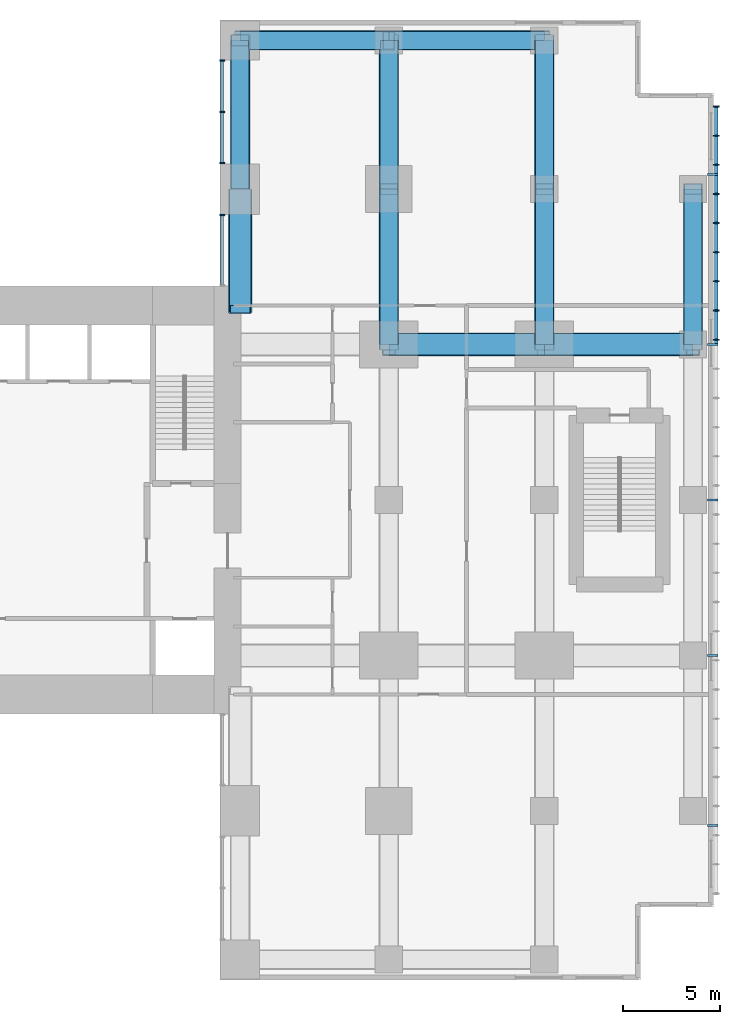
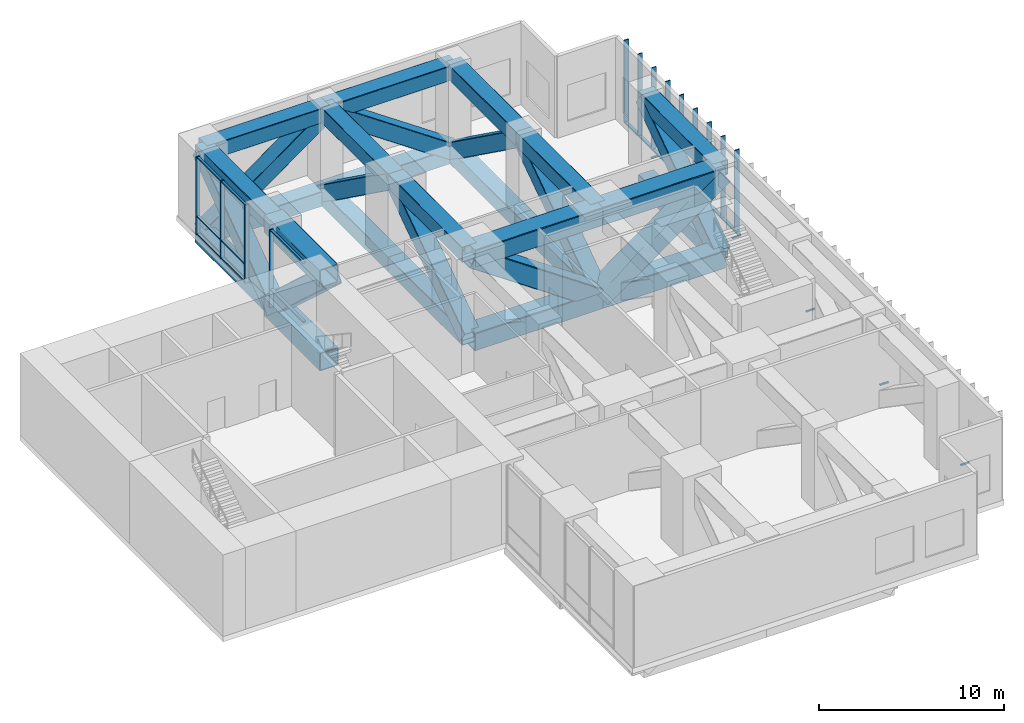
# One storey, part 3 of 10: 60 members, 2 elements without a shape of their own.
"""IFC4 building model written with IfcOpenShell, lengths in metres."""

from ifc_helpers import new_model, si_unit, direction, frame, origin, origin_2d, place, context, subcontext, project, spatial, rectangle, hollow_rectangle, extrude, material, layer, layer_set, material_profile, profile_set, type_object, element, aggregate, save


model = new_model("IFC4")

# Units and contexts
model_context = context("Model", 3, precision=1e-05, world=origin(), true_north=direction((0.0, 1.0)))
body_context = subcontext(model_context, "Body", "Model", "MODEL_VIEW")
ifc_project = project(units=[si_unit("LENGTHUNIT", "METRE"), si_unit("AREAUNIT", "SQUARE_METRE"), si_unit("VOLUMEUNIT", "CUBIC_METRE"), si_unit("PLANEANGLEUNIT", "RADIAN"), si_unit("MASSUNIT", "GRAM", prefix="KILO")], contexts=[model_context])

# Site, building, storey
site_placement = place(None, origin())
site = spatial("IfcSite", under=ifc_project, at=site_placement, CompositionType="ELEMENT")
building_placement = place(site_placement, origin())
building = spatial("IfcBuilding", under=site, at=building_placement, Name="Cleftline Residences", CompositionType="ELEMENT")
storey_placement = place(building_placement, frame((0.0, 0.0, 277.199951171875)))
storey = spatial("IfcBuildingStorey", under=building, at=storey_placement, Name="L73", CompositionType="ELEMENT", Elevation=277.199951171875)

# Members
ifc_material_1 = material(Name="Steel S355, hot-dip galvanised", Category="steel")
ifc_material_profile_1 = material_profile(ifc_material_1, hollow_rectangle(XDim=0.10009765625, YDim=0.10009765625, WallThickness=0.008056640625, InnerFilletRadius=0.008056640625, OuterFilletRadius=0.011962890625, at=origin_2d()))
ifc_profile_set_1 = profile_set([ifc_material_profile_1], Name="Steel S355, hot-dip galvanised")
member_type_1 = type_object("IfcMemberType", Name="BAGUETTE BRACKET SHS 100X100X8", PredefinedType="USERDEFINED", material=ifc_profile_set_1)
for number, where, z_axis, x_axis, name in (
    (1, (66.39990234375, 7.25, -0.14990234375), (1.0, 0.0, 0.0), (0.0, 1.0, 0.0), "Baguette bracket"),
    (2, (66.39990234375, 16.0, -0.14990234375), (1.0, 0.0, 0.0), (0.0, 1.0, 0.0), "Baguette bracket"),
    (3, (66.39990234375, 24.0, -0.14990234375), (1.0, 0.0, 0.0), (0.0, 1.0, 0.0), "Baguette bracket"),
    (4, (66.39990234375, 32.0, -0.14990234375), (1.0, 0.0, 0.0), (0.0, 1.0, 0.0), "Baguette bracket"),
    (5, (66.39990234375, 40.75, -0.14990234375), (1.0, 0.0, 0.0), (0.0, 1.0, 0.0), "Baguette bracket"),
):
    element("IfcMember", number, at=place(storey_placement, frame(where, z_axis=z_axis, x_axis=x_axis)), inside=storey, type_object=member_type_1, Name=name, ObjectType="BAGUETTE BRACKET", PredefinedType="USERDEFINED", context=body_context, shape_type="SweptSolid", body=[
        extrude(hollow_rectangle(XDim=0.10009765625, YDim=0.10009765625, WallThickness=0.008056640625, InnerFilletRadius=0.008056640625, OuterFilletRadius=0.011962890625, at=origin_2d()), origin(), (0.0, 0.0, 1.0), 0.550048828125),
    ])
ifc_material_2 = material(Name="Steel S355, hot-dip galvanised", Category="steel")
ifc_material_profile_2 = material_profile(ifc_material_2, hollow_rectangle(XDim=0.10009765625, YDim=0.199951171875, WallThickness=0.008056640625, InnerFilletRadius=0.008056640625, OuterFilletRadius=0.011962890625, at=origin_2d()))
ifc_profile_set_2 = profile_set([ifc_material_profile_2], Name="Steel S355, hot-dip galvanised")
member_type_2 = type_object("IfcMemberType", Name="BAGUETTE CARRIER RHS 200X100X8", PredefinedType="USERDEFINED", material=ifc_profile_set_2)
member_1_placement = place(storey_placement, frame((66.85009765625, 32.0, -0.050048828125), z_axis=(0.0, 1.0, 0.0), x_axis=(0.0, 0.0, 1.0)))
element("IfcMember", 6, at=member_1_placement, inside=storey, type_object=member_type_2, Name="Baguette carrier", ObjectType="BAGUETTE CARRIER", PredefinedType="USERDEFINED", context=body_context, shape_type="SweptSolid", body=[
    extrude(hollow_rectangle(XDim=0.10009765625, YDim=0.199951171875, WallThickness=0.008056640625, InnerFilletRadius=0.008056640625, OuterFilletRadius=0.011962890625, at=origin_2d()), origin(), (0.0, 0.0, 1.0), 12.300048828125),
])
ifc_material_3 = material(Name="Steel S355", Category="steel")
ifc_material_profile_3 = material_profile(ifc_material_3, hollow_rectangle(XDim=1.0, YDim=1.0, WallThickness=0.0400390625, InnerFilletRadius=0.0400390625, OuterFilletRadius=0.06005859375, at=origin_2d()))
ifc_profile_set_3 = profile_set([ifc_material_profile_3], Name="Steel S355")
member_type_3 = type_object("IfcMemberType", Name="BRACE BOX 1000X1000X40", PredefinedType="BRACE", material=ifc_profile_set_3)
member_2_placement = place(storey_placement, frame((42.35009765625, 40.0, -0.849853515625), z_axis=(0.0, 0.811933238445, 0.583750303048), x_axis=(0.0, -0.583750303048, 0.811933238445)))
element("IfcMember", 7, at=member_2_placement, inside=storey, type_object=member_type_3, Name="Belt truss diagonal", PredefinedType="BRACE", context=body_context, shape_type="SweptSolid", body=[
    extrude(hollow_rectangle(XDim=1.0, YDim=1.0, WallThickness=0.0400390625, InnerFilletRadius=0.0400390625, OuterFilletRadius=0.06005859375, at=origin_2d()), origin(), (0.0, 0.0, 1.0), 9.421875),
])
member_3_placement = place(storey_placement, frame((50.0, 32.0, -0.849853515625), z_axis=(0.0, 0.824041924199, 0.566528822887), x_axis=(0.0, -0.566528822887, 0.824041924199)))
element("IfcMember", 8, at=member_3_placement, inside=storey, type_object=member_type_3, Name="Belt truss diagonal", PredefinedType="BRACE", context=body_context, shape_type="SweptSolid", body=[
    extrude(hollow_rectangle(XDim=1.0, YDim=1.0, WallThickness=0.0400390625, InnerFilletRadius=0.0400390625, OuterFilletRadius=0.06005859375, at=origin_2d()), origin(), (0.0, 0.0, 1.0), 9.708251953125),
])
member_4_placement = place(storey_placement, frame((50.0, 40.0, 4.650146484375), z_axis=(0.0, 0.811933238445, -0.583750303048), x_axis=(0.0, 0.583750303048, 0.811933238445)))
element("IfcMember", 9, at=member_4_placement, inside=storey, type_object=member_type_3, Name="Belt truss diagonal", PredefinedType="BRACE", context=body_context, shape_type="SweptSolid", body=[
    extrude(hollow_rectangle(XDim=1.0, YDim=1.0, WallThickness=0.0400390625, InnerFilletRadius=0.0400390625, OuterFilletRadius=0.06005859375, at=origin_2d()), origin(), (0.0, 0.0, 1.0), 9.421875),
])
member_5_placement = place(storey_placement, frame((58.0, 32.0, -0.849853515625), z_axis=(0.0, 0.824041924199, 0.566528822887), x_axis=(0.0, -0.566528822887, 0.824041924199)))
element("IfcMember", 10, at=member_5_placement, inside=storey, type_object=member_type_3, Name="Belt truss diagonal", PredefinedType="BRACE", context=body_context, shape_type="SweptSolid", body=[
    extrude(hollow_rectangle(XDim=1.0, YDim=1.0, WallThickness=0.0400390625, InnerFilletRadius=0.0400390625, OuterFilletRadius=0.06005859375, at=origin_2d()), origin(), (0.0, 0.0, 1.0), 9.708251953125),
])
member_6_placement = place(storey_placement, frame((58.0, 40.0, 4.650146484375), z_axis=(0.0, 0.811933238445, -0.583750303048), x_axis=(0.0, 0.583750303048, 0.811933238445)))
element("IfcMember", 11, at=member_6_placement, inside=storey, type_object=member_type_3, Name="Belt truss diagonal", PredefinedType="BRACE", context=body_context, shape_type="SweptSolid", body=[
    extrude(hollow_rectangle(XDim=1.0, YDim=1.0, WallThickness=0.0400390625, InnerFilletRadius=0.0400390625, OuterFilletRadius=0.06005859375, at=origin_2d()), origin(), (0.0, 0.0, 1.0), 9.421875),
])
member_7_placement = place(storey_placement, frame((65.64990234375, 32.0, -0.849853515625), z_axis=(0.0, 0.824041924199, 0.566528822887), x_axis=(0.0, -0.566528822887, 0.824041924199)))
element("IfcMember", 12, at=member_7_placement, inside=storey, type_object=member_type_3, Name="Belt truss diagonal", PredefinedType="BRACE", context=body_context, shape_type="SweptSolid", body=[
    extrude(hollow_rectangle(XDim=1.0, YDim=1.0, WallThickness=0.0400390625, InnerFilletRadius=0.0400390625, OuterFilletRadius=0.06005859375, at=origin_2d()), origin(), (0.0, 0.0, 1.0), 9.708251953125),
])
member_8_placement = place(storey_placement, frame((42.35009765625, 47.64990234375, -0.849853515625), z_axis=(0.811933238445, 0.0, 0.583750303048), x_axis=(-0.583750303048, 0.0, 0.811933238445)))
element("IfcMember", 13, at=member_8_placement, inside=storey, type_object=member_type_3, Name="Belt truss diagonal", PredefinedType="BRACE", context=body_context, shape_type="SweptSolid", body=[
    extrude(hollow_rectangle(XDim=1.0, YDim=1.0, WallThickness=0.0400390625, InnerFilletRadius=0.0400390625, OuterFilletRadius=0.06005859375, at=origin_2d()), origin(), (0.0, 0.0, 1.0), 9.421875),
])
member_9_placement = place(storey_placement, frame((50.0, 47.64990234375, 4.650146484375), z_axis=(0.824041924199, 0.0, -0.566528822887), x_axis=(0.566528822887, 0.0, 0.824041924199)))
element("IfcMember", 14, at=member_9_placement, inside=storey, type_object=member_type_3, Name="Belt truss diagonal", PredefinedType="BRACE", context=body_context, shape_type="SweptSolid", body=[
    extrude(hollow_rectangle(XDim=1.0, YDim=1.0, WallThickness=0.0400390625, InnerFilletRadius=0.0400390625, OuterFilletRadius=0.06005859375, at=origin_2d()), origin(), (0.0, 0.0, 1.0), 9.708251953125),
])
ifc_material_4 = material(Name="Steel S355", Category="steel")
ifc_material_profile_4 = material_profile(ifc_material_4, hollow_rectangle(XDim=1.199951171875, YDim=1.199951171875, WallThickness=0.06005859375, InnerFilletRadius=0.06005859375, OuterFilletRadius=0.090087890625, at=origin_2d()))
ifc_profile_set_4 = profile_set([ifc_material_profile_4], Name="Steel S355")
member_type_4 = type_object("IfcMemberType", Name="BRACE BOX 1200X1200X60", PredefinedType="BRACE", material=ifc_profile_set_4)
member_10_placement = place(storey_placement, frame((50.0, 32.0, 4.550048828125), z_axis=(0.824041924199, 0.0, -0.566528822887), x_axis=(0.566528822887, 0.0, 0.824041924199)))
element("IfcMember", 15, at=member_10_placement, inside=storey, type_object=member_type_4, Name="Outrigger truss diagonal", PredefinedType="BRACE", context=body_context, shape_type="SweptSolid", body=[
    extrude(hollow_rectangle(XDim=1.199951171875, YDim=1.199951171875, WallThickness=0.06005859375, InnerFilletRadius=0.06005859375, OuterFilletRadius=0.090087890625, at=origin_2d()), origin(), (0.0, 0.0, 1.0), 9.708251953125),
])
member_11_placement = place(storey_placement, frame((58.0, 32.0, -0.949951171875), z_axis=(0.811933238445, 0.0, 0.583750303048), x_axis=(-0.583750303048, 0.0, 0.811933238445)))
element("IfcMember", 16, at=member_11_placement, inside=storey, type_object=member_type_4, Name="Outrigger truss diagonal", PredefinedType="BRACE", context=body_context, shape_type="SweptSolid", body=[
    extrude(hollow_rectangle(XDim=1.199951171875, YDim=1.199951171875, WallThickness=0.06005859375, InnerFilletRadius=0.06005859375, OuterFilletRadius=0.090087890625, at=origin_2d()), origin(), (0.0, 0.0, 1.0), 9.421875),
])
member_12_placement = place(storey_placement, frame((42.35009765625, 40.0, -0.949951171875), z_axis=(0.0, -0.737154140201, 0.675724628517), x_axis=(0.0, 0.675724628517, 0.737154140201)))
element("IfcMember", 17, at=member_12_placement, inside=storey, type_object=member_type_4, Name="Outrigger truss diagonal", PredefinedType="BRACE", context=body_context, shape_type="SweptSolid", body=[
    extrude(hollow_rectangle(XDim=1.199951171875, YDim=1.199951171875, WallThickness=0.06005859375, InnerFilletRadius=0.06005859375, OuterFilletRadius=0.090087890625, at=origin_2d()), origin(), (0.0, 0.0, 1.0), 8.139404296875),
])
ifc_material_5 = material(Name="Steel S355", Category="steel")
ifc_material_profile_5 = material_profile(ifc_material_5, hollow_rectangle(XDim=1.0, YDim=1.0, WallThickness=0.0400390625, InnerFilletRadius=0.0400390625, OuterFilletRadius=0.06005859375, at=origin_2d()))
ifc_profile_set_5 = profile_set([ifc_material_profile_5], Name="Steel S355")
member_type_5 = type_object("IfcMemberType", Name="CHORD BOX 1000X1000X40", PredefinedType="CHORD", material=ifc_profile_set_5)
for number, where, z_axis, x_axis, name in (
    (18, (42.35009765625, 40.0, -0.849853515625), (0.0, 1.0, 0.0), (-1.0, 0.0, 0.0), "Belt truss bottom chord"),
    (19, (42.35009765625, 40.0, 4.650146484375), (0.0, 1.0, 0.0), (-1.0, 0.0, 0.0), "Belt truss top chord"),
):
    element("IfcMember", number, at=place(storey_placement, frame(where, z_axis=z_axis, x_axis=x_axis)), inside=storey, type_object=member_type_5, Name=name, PredefinedType="CHORD", context=body_context, shape_type="SweptSolid", body=[
        extrude(hollow_rectangle(XDim=1.0, YDim=1.0, WallThickness=0.0400390625, InnerFilletRadius=0.0400390625, OuterFilletRadius=0.06005859375, at=origin_2d()), origin(), (0.0, 0.0, 1.0), 7.64990234375),
    ])
for number, where, z_axis, x_axis, name in (
    (20, (50.0, 32.0, -0.849853515625), (0.0, 1.0, 0.0), (-1.0, 0.0, 0.0), "Belt truss bottom chord"),
    (21, (50.0, 32.0, 4.650146484375), (0.0, 1.0, 0.0), (-1.0, 0.0, 0.0), "Belt truss top chord"),
):
    element("IfcMember", number, at=place(storey_placement, frame(where, z_axis=z_axis, x_axis=x_axis)), inside=storey, type_object=member_type_5, Name=name, PredefinedType="CHORD", context=body_context, shape_type="SweptSolid", body=[
        extrude(hollow_rectangle(XDim=1.0, YDim=1.0, WallThickness=0.0400390625, InnerFilletRadius=0.0400390625, OuterFilletRadius=0.06005859375, at=origin_2d()), origin(), (0.0, 0.0, 1.0), 8.0),
    ])
for number, where, z_axis, x_axis, name in (
    (22, (50.0, 40.0, -0.849853515625), (0.0, 1.0, 0.0), (-1.0, 0.0, 0.0), "Belt truss bottom chord"),
    (23, (50.0, 40.0, 4.650146484375), (0.0, 1.0, 0.0), (-1.0, 0.0, 0.0), "Belt truss top chord"),
):
    element("IfcMember", number, at=place(storey_placement, frame(where, z_axis=z_axis, x_axis=x_axis)), inside=storey, type_object=member_type_5, Name=name, PredefinedType="CHORD", context=body_context, shape_type="SweptSolid", body=[
        extrude(hollow_rectangle(XDim=1.0, YDim=1.0, WallThickness=0.0400390625, InnerFilletRadius=0.0400390625, OuterFilletRadius=0.06005859375, at=origin_2d()), origin(), (0.0, 0.0, 1.0), 7.64990234375),
    ])
for number, where, z_axis, x_axis, name in (
    (24, (58.0, 32.0, -0.849853515625), (0.0, 1.0, 0.0), (-1.0, 0.0, 0.0), "Belt truss bottom chord"),
    (25, (58.0, 32.0, 4.650146484375), (0.0, 1.0, 0.0), (-1.0, 0.0, 0.0), "Belt truss top chord"),
):
    element("IfcMember", number, at=place(storey_placement, frame(where, z_axis=z_axis, x_axis=x_axis)), inside=storey, type_object=member_type_5, Name=name, PredefinedType="CHORD", context=body_context, shape_type="SweptSolid", body=[
        extrude(hollow_rectangle(XDim=1.0, YDim=1.0, WallThickness=0.0400390625, InnerFilletRadius=0.0400390625, OuterFilletRadius=0.06005859375, at=origin_2d()), origin(), (0.0, 0.0, 1.0), 8.0),
    ])
for number, where, z_axis, x_axis, name in (
    (26, (58.0, 40.0, -0.849853515625), (0.0, 1.0, 0.0), (-1.0, 0.0, 0.0), "Belt truss bottom chord"),
    (27, (58.0, 40.0, 4.650146484375), (0.0, 1.0, 0.0), (-1.0, 0.0, 0.0), "Belt truss top chord"),
):
    element("IfcMember", number, at=place(storey_placement, frame(where, z_axis=z_axis, x_axis=x_axis)), inside=storey, type_object=member_type_5, Name=name, PredefinedType="CHORD", context=body_context, shape_type="SweptSolid", body=[
        extrude(hollow_rectangle(XDim=1.0, YDim=1.0, WallThickness=0.0400390625, InnerFilletRadius=0.0400390625, OuterFilletRadius=0.06005859375, at=origin_2d()), origin(), (0.0, 0.0, 1.0), 7.64990234375),
    ])
for number, where, z_axis, x_axis, name in (
    (28, (65.64990234375, 32.0, -0.849853515625), (0.0, 1.0, 0.0), (-1.0, 0.0, 0.0), "Belt truss bottom chord"),
    (29, (65.64990234375, 32.0, 4.650146484375), (0.0, 1.0, 0.0), (-1.0, 0.0, 0.0), "Belt truss top chord"),
):
    element("IfcMember", number, at=place(storey_placement, frame(where, z_axis=z_axis, x_axis=x_axis)), inside=storey, type_object=member_type_5, Name=name, PredefinedType="CHORD", context=body_context, shape_type="SweptSolid", body=[
        extrude(hollow_rectangle(XDim=1.0, YDim=1.0, WallThickness=0.0400390625, InnerFilletRadius=0.0400390625, OuterFilletRadius=0.06005859375, at=origin_2d()), origin(), (0.0, 0.0, 1.0), 8.0),
    ])
for number, where, z_axis, x_axis, name in (
    (30, (42.35009765625, 47.64990234375, -0.849853515625), (1.0, 0.0, 0.0), (0.0, 1.0, 0.0), "Belt truss bottom chord"),
    (31, (42.35009765625, 47.64990234375, 4.650146484375), (1.0, 0.0, 0.0), (0.0, 1.0, 0.0), "Belt truss top chord"),
):
    element("IfcMember", number, at=place(storey_placement, frame(where, z_axis=z_axis, x_axis=x_axis)), inside=storey, type_object=member_type_5, Name=name, PredefinedType="CHORD", context=body_context, shape_type="SweptSolid", body=[
        extrude(hollow_rectangle(XDim=1.0, YDim=1.0, WallThickness=0.0400390625, InnerFilletRadius=0.0400390625, OuterFilletRadius=0.06005859375, at=origin_2d()), origin(), (0.0, 0.0, 1.0), 7.64990234375),
    ])
for number, where, z_axis, x_axis, name in (
    (32, (50.0, 47.64990234375, -0.849853515625), (1.0, 0.0, 0.0), (0.0, 1.0, 0.0), "Belt truss bottom chord"),
    (33, (50.0, 47.64990234375, 4.650146484375), (1.0, 0.0, 0.0), (0.0, 1.0, 0.0), "Belt truss top chord"),
):
    element("IfcMember", number, at=place(storey_placement, frame(where, z_axis=z_axis, x_axis=x_axis)), inside=storey, type_object=member_type_5, Name=name, PredefinedType="CHORD", context=body_context, shape_type="SweptSolid", body=[
        extrude(hollow_rectangle(XDim=1.0, YDim=1.0, WallThickness=0.0400390625, InnerFilletRadius=0.0400390625, OuterFilletRadius=0.06005859375, at=origin_2d()), origin(), (0.0, 0.0, 1.0), 8.0),
    ])
ifc_material_6 = material(Name="Steel S355", Category="steel")
ifc_material_profile_6 = material_profile(ifc_material_6, hollow_rectangle(XDim=1.199951171875, YDim=1.199951171875, WallThickness=0.06005859375, InnerFilletRadius=0.06005859375, OuterFilletRadius=0.090087890625, at=origin_2d()))
ifc_profile_set_6 = profile_set([ifc_material_profile_6], Name="Steel S355")
member_type_6 = type_object("IfcMemberType", Name="CHORD BOX 1200X1200X60", PredefinedType="CHORD", material=ifc_profile_set_6)
for number, where, z_axis, x_axis, name in (
    (34, (50.0, 32.0, -0.949951171875), (1.0, 0.0, 0.0), (0.0, 1.0, 0.0), "Outrigger truss bottom chord"),
    (35, (50.0, 32.0, 4.550048828125), (1.0, 0.0, 0.0), (0.0, 1.0, 0.0), "Outrigger truss top chord"),
):
    element("IfcMember", number, at=place(storey_placement, frame(where, z_axis=z_axis, x_axis=x_axis)), inside=storey, type_object=member_type_6, Name=name, PredefinedType="CHORD", context=body_context, shape_type="SweptSolid", body=[
        extrude(hollow_rectangle(XDim=1.199951171875, YDim=1.199951171875, WallThickness=0.06005859375, InnerFilletRadius=0.06005859375, OuterFilletRadius=0.090087890625, at=origin_2d()), origin(), (0.0, 0.0, 1.0), 8.0),
    ])
for number, where, z_axis, x_axis, name in (
    (36, (58.0, 32.0, -0.949951171875), (1.0, 0.0, 0.0), (0.0, 1.0, 0.0), "Outrigger truss bottom chord"),
    (37, (58.0, 32.0, 4.550048828125), (1.0, 0.0, 0.0), (0.0, 1.0, 0.0), "Outrigger truss top chord"),
):
    element("IfcMember", number, at=place(storey_placement, frame(where, z_axis=z_axis, x_axis=x_axis)), inside=storey, type_object=member_type_6, Name=name, PredefinedType="CHORD", context=body_context, shape_type="SweptSolid", body=[
        extrude(hollow_rectangle(XDim=1.199951171875, YDim=1.199951171875, WallThickness=0.06005859375, InnerFilletRadius=0.06005859375, OuterFilletRadius=0.090087890625, at=origin_2d()), origin(), (0.0, 0.0, 1.0), 7.64990234375),
    ])
for number, where, z_axis, x_axis, name in (
    (38, (42.35009765625, 40.0, -0.949951171875), (0.0, -1.0, 0.0), (1.0, 0.0, 0.0), "Outrigger truss bottom chord"),
    (39, (42.35009765625, 40.0, 4.550048828125), (0.0, -1.0, 0.0), (1.0, 0.0, 0.0), "Outrigger truss top chord"),
):
    element("IfcMember", number, at=place(storey_placement, frame(where, z_axis=z_axis, x_axis=x_axis)), inside=storey, type_object=member_type_6, Name=name, PredefinedType="CHORD", context=body_context, shape_type="SweptSolid", body=[
        extrude(hollow_rectangle(XDim=1.199951171875, YDim=1.199951171875, WallThickness=0.06005859375, InnerFilletRadius=0.06005859375, OuterFilletRadius=0.090087890625, at=origin_2d()), origin(), (0.0, 0.0, 1.0), 6.0),
    ])

# Curtain wall, members
ifc_material_7 = material(Name="Aluminium framed louvre screen", Category="aluminium")
ifc_layer = layer(ifc_material_7, 0.25)
ifc_layer_set = layer_set([ifc_layer], Name="CW6 REFUGE LOUVRE SCREEN")
curtain_wall_type = type_object("IfcCurtainWallType", Name="CW6 REFUGE LOUVRE SCREEN", PredefinedType="NOTDEFINED", material=ifc_layer_set)
curtain_wall_1_placement = place(storey_placement, origin())
curtain_wall_1 = element("IfcCurtainWall", 40, at=curtain_wall_1_placement, inside=storey, type_object=curtain_wall_type, Name="Louvre screen CW6", PredefinedType="NOTDEFINED")
ifc_material_8 = material(Name="Aluminium louvre mullion", Category="aluminium")
ifc_material_profile_7 = material_profile(ifc_material_8, rectangle(XDim=0.25, YDim=0.080078125, at=origin_2d()))
ifc_profile_set_7 = profile_set([ifc_material_profile_7], Name="Aluminium louvre mullion")
member_type_7 = type_object("IfcMemberType", Name="CW6 LOUVRE MULLION", PredefinedType="MULLION", material=ifc_profile_set_7)
member_13_placement = place(storey_placement, frame((41.425048828125, 46.610107421875, 0.0), z_axis=(0.0, 0.0, 1.0), x_axis=(1.0, 0.0, 0.0)))
member_13 = element("IfcMember", 41, at=member_13_placement, type_object=member_type_7, Name="CW6 mullion 1", PredefinedType="MULLION", context=body_context, shape_type="SweptSolid", body=[
    extrude(rectangle(XDim=0.25, YDim=0.080078125, at=origin_2d()), origin(), (0.0, 0.0, 1.0), 5.150146484375),
])
member_14_placement = place(storey_placement, frame((41.425048828125, 43.97509765625, 0.0), z_axis=(0.0, 0.0, 1.0), x_axis=(1.0, 0.0, 0.0)))
member_14 = element("IfcMember", 42, at=member_14_placement, type_object=member_type_7, Name="CW6 mullion 2", PredefinedType="MULLION", context=body_context, shape_type="SweptSolid", body=[
    extrude(rectangle(XDim=0.25, YDim=0.080078125, at=origin_2d()), origin(), (0.0, 0.0, 1.0), 5.150146484375),
])
member_15_placement = place(storey_placement, frame((41.425048828125, 41.340087890625, 0.0), z_axis=(0.0, 0.0, 1.0), x_axis=(1.0, 0.0, 0.0)))
member_15 = element("IfcMember", 43, at=member_15_placement, type_object=member_type_7, Name="CW6 mullion 3", PredefinedType="MULLION", context=body_context, shape_type="SweptSolid", body=[
    extrude(rectangle(XDim=0.25, YDim=0.080078125, at=origin_2d()), origin(), (0.0, 0.0, 1.0), 5.150146484375),
])

# Curtain wall, member
curtain_wall_2_placement = place(storey_placement, origin())
curtain_wall_2 = element("IfcCurtainWall", 44, at=curtain_wall_2_placement, inside=storey, type_object=curtain_wall_type, Name="Louvre screen CW6", PredefinedType="NOTDEFINED")
member_16_placement = place(storey_placement, frame((41.425048828125, 38.659912109375, 0.0), z_axis=(0.0, 0.0, 1.0), x_axis=(1.0, 0.0, 0.0)))
member_16 = element("IfcMember", 45, at=member_16_placement, type_object=member_type_7, Name="CW6 mullion 1", PredefinedType="MULLION", context=body_context, shape_type="SweptSolid", body=[
    extrude(rectangle(XDim=0.25, YDim=0.080078125, at=origin_2d()), origin(), (0.0, 0.0, 1.0), 5.150146484375),
])

# Member
ifc_material_9 = material(Name="Aluminium louvre transom", Category="aluminium")
ifc_material_profile_8 = material_profile(ifc_material_9, rectangle(XDim=0.14990234375, YDim=0.080078125, at=origin_2d()))
ifc_profile_set_8 = profile_set([ifc_material_profile_8], Name="Aluminium louvre transom")
member_type_8 = type_object("IfcMemberType", Name="CW6 LOUVRE TRANSOM", PredefinedType="USERDEFINED", material=ifc_profile_set_8)
member_17_placement = place(storey_placement, frame((41.425048828125, 46.570068359375, 0.0400390625), z_axis=(0.0, -1.0, 0.0), x_axis=(1.0, 0.0, 0.0)))
member_17 = element("IfcMember", 46, at=member_17_placement, type_object=member_type_8, Name="CW6 transom 1.1", ObjectType="TRANSOM", PredefinedType="USERDEFINED", context=body_context, shape_type="SweptSolid", body=[
    extrude(rectangle(XDim=0.14990234375, YDim=0.080078125, at=origin_2d()), origin(), (0.0, 0.0, 1.0), 2.55517578125),
])

member_18_placement = place(storey_placement, frame((41.425048828125, 46.570068359375, 1.199951171875), z_axis=(0.0, -1.0, 0.0), x_axis=(1.0, 0.0, 0.0)))
member_18 = element("IfcMember", 47, at=member_18_placement, type_object=member_type_8, Name="CW6 transom 1.2", ObjectType="TRANSOM", PredefinedType="USERDEFINED", context=body_context, shape_type="SweptSolid", body=[
    extrude(rectangle(XDim=0.14990234375, YDim=0.080078125, at=origin_2d()), origin(), (0.0, 0.0, 1.0), 2.55517578125),
])

member_19_placement = place(storey_placement, frame((41.425048828125, 46.570068359375, 5.110107421875), z_axis=(0.0, -1.0, 0.0), x_axis=(1.0, 0.0, 0.0)))
member_19 = element("IfcMember", 48, at=member_19_placement, type_object=member_type_8, Name="CW6 transom 1.3", ObjectType="TRANSOM", PredefinedType="USERDEFINED", context=body_context, shape_type="SweptSolid", body=[
    extrude(rectangle(XDim=0.14990234375, YDim=0.080078125, at=origin_2d()), origin(), (0.0, 0.0, 1.0), 2.55517578125),
])

member_20_placement = place(storey_placement, frame((41.425048828125, 43.93505859375, 0.0400390625), z_axis=(0.0, -1.0, 0.0), x_axis=(1.0, 0.0, 0.0)))
member_20 = element("IfcMember", 49, at=member_20_placement, type_object=member_type_8, Name="CW6 transom 2.1", ObjectType="TRANSOM", PredefinedType="USERDEFINED", context=body_context, shape_type="SweptSolid", body=[
    extrude(rectangle(XDim=0.14990234375, YDim=0.080078125, at=origin_2d()), origin(), (0.0, 0.0, 1.0), 2.55517578125),
])

member_21_placement = place(storey_placement, frame((41.425048828125, 43.93505859375, 1.199951171875), z_axis=(0.0, -1.0, 0.0), x_axis=(1.0, 0.0, 0.0)))
member_21 = element("IfcMember", 50, at=member_21_placement, type_object=member_type_8, Name="CW6 transom 2.2", ObjectType="TRANSOM", PredefinedType="USERDEFINED", context=body_context, shape_type="SweptSolid", body=[
    extrude(rectangle(XDim=0.14990234375, YDim=0.080078125, at=origin_2d()), origin(), (0.0, 0.0, 1.0), 2.55517578125),
])

member_22_placement = place(storey_placement, frame((41.425048828125, 43.93505859375, 5.110107421875), z_axis=(0.0, -1.0, 0.0), x_axis=(1.0, 0.0, 0.0)))
member_22 = element("IfcMember", 51, at=member_22_placement, type_object=member_type_8, Name="CW6 transom 2.3", ObjectType="TRANSOM", PredefinedType="USERDEFINED", context=body_context, shape_type="SweptSolid", body=[
    extrude(rectangle(XDim=0.14990234375, YDim=0.080078125, at=origin_2d()), origin(), (0.0, 0.0, 1.0), 2.55517578125),
])

aggregate(curtain_wall_1, [member_13, member_14, member_15, member_17, member_18, member_19, member_20, member_21, member_22])

member_23_placement = place(storey_placement, frame((41.425048828125, 38.6201171875, 1.199951171875), z_axis=(0.0, -1.0, 0.0), x_axis=(1.0, 0.0, 0.0)))
member_23 = element("IfcMember", 52, at=member_23_placement, type_object=member_type_8, Name="CW6 transom 1.2", ObjectType="TRANSOM", PredefinedType="USERDEFINED", context=body_context, shape_type="SweptSolid", body=[
    extrude(rectangle(XDim=0.14990234375, YDim=0.080078125, at=origin_2d()), origin(), (0.0, 0.0, 1.0), 3.5400390625),
])

member_24_placement = place(storey_placement, frame((41.425048828125, 38.6201171875, 5.110107421875), z_axis=(0.0, -1.0, 0.0), x_axis=(1.0, 0.0, 0.0)))
member_24 = element("IfcMember", 53, at=member_24_placement, type_object=member_type_8, Name="CW6 transom 1.3", ObjectType="TRANSOM", PredefinedType="USERDEFINED", context=body_context, shape_type="SweptSolid", body=[
    extrude(rectangle(XDim=0.14990234375, YDim=0.080078125, at=origin_2d()), origin(), (0.0, 0.0, 1.0), 3.5400390625),
])

aggregate(curtain_wall_2, [member_16, member_23, member_24])

# Members
ifc_material_10 = material(Name="Extruded terracotta", Category="masonry")
ifc_material_profile_9 = material_profile(ifc_material_10, rectangle(XDim=0.06005859375, YDim=0.300048828125, at=origin_2d()))
ifc_profile_set_9 = profile_set([ifc_material_profile_9], Name="Extruded terracotta")
member_type_9 = type_object("IfcMemberType", Name="TERRACOTTA BAGUETTE 60X300", PredefinedType="USERDEFINED", material=ifc_profile_set_9)
for number, where, z_axis, x_axis, name in (
    (54, (66.85009765625, 32.25, 0.0), (0.0, 0.0, 1.0), (0.0, 1.0, 0.0), "Terracotta baguette"),
    (55, (66.85009765625, 33.75, 0.0), (0.0, 0.0, 1.0), (0.0, 1.0, 0.0), "Terracotta baguette"),
    (56, (66.85009765625, 35.25, 0.0), (0.0, 0.0, 1.0), (0.0, 1.0, 0.0), "Terracotta baguette"),
    (57, (66.85009765625, 36.75, 0.0), (0.0, 0.0, 1.0), (0.0, 1.0, 0.0), "Terracotta baguette"),
    (58, (66.85009765625, 38.25, 0.0), (0.0, 0.0, 1.0), (0.0, 1.0, 0.0), "Terracotta baguette"),
    (59, (66.85009765625, 39.75, 0.0), (0.0, 0.0, 1.0), (0.0, 1.0, 0.0), "Terracotta baguette"),
    (60, (66.85009765625, 41.25, 0.0), (0.0, 0.0, 1.0), (0.0, 1.0, 0.0), "Terracotta baguette"),
    (61, (66.85009765625, 42.75, 0.0), (0.0, 0.0, 1.0), (0.0, 1.0, 0.0), "Terracotta baguette"),
    (62, (66.85009765625, 44.25, 0.0), (0.0, 0.0, 1.0), (0.0, 1.0, 0.0), "Terracotta baguette"),
):
    element("IfcMember", number, at=place(storey_placement, frame(where, z_axis=z_axis, x_axis=x_axis)), inside=storey, type_object=member_type_9, Name=name, ObjectType="BAGUETTE", PredefinedType="USERDEFINED", context=body_context, shape_type="SweptSolid", body=[
        extrude(rectangle(XDim=0.06005859375, YDim=0.300048828125, at=origin_2d()), origin(), (0.0, 0.0, 1.0), 5.400146484375),
    ])

save(model, "model.ifc")
